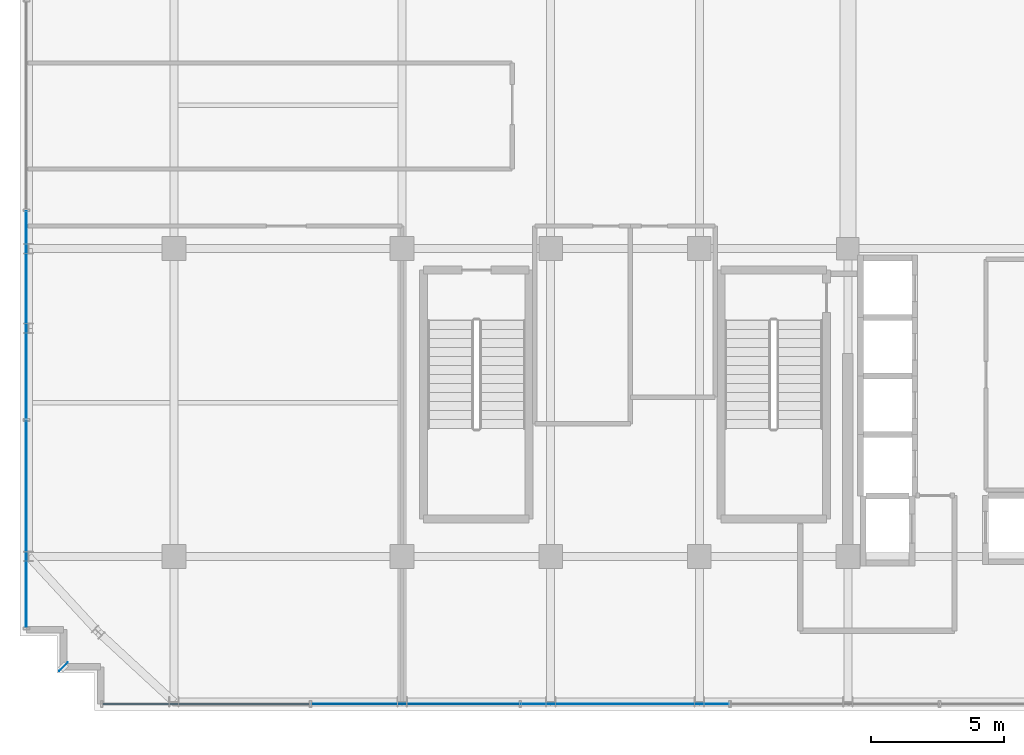
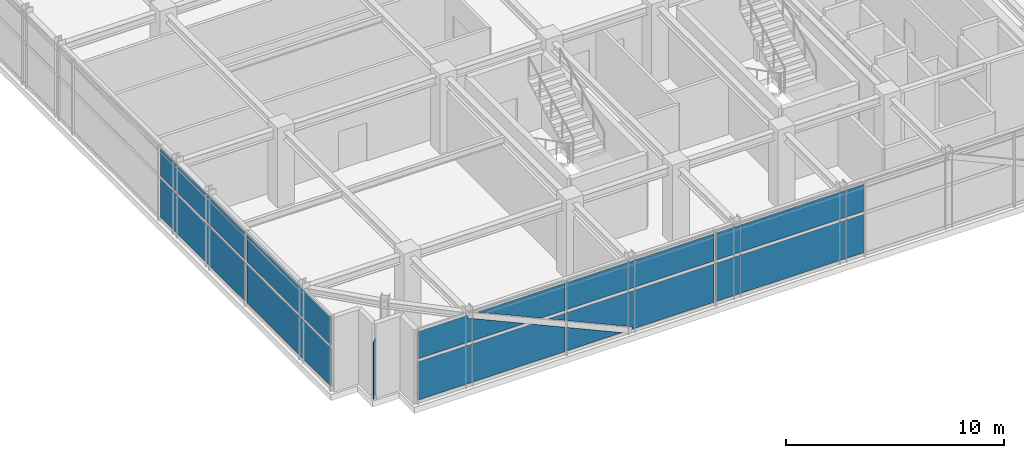
# One storey, part 16 of 26: 11 plates, 2 elements without a shape of their own.
"""IFC4 building model written with IfcOpenShell, lengths in metres."""

from ifc_helpers import new_model, si_unit, direction, frame, origin, origin_2d, place, context, subcontext, project, spatial, polyline, rectangle, outline, extrude, source, transform, mapped, material, layer, layer_set, type_object, element, aggregate, save


model = new_model("IFC4")

# Units and contexts
model_context = context("Model", 3, precision=1e-05, world=origin(), true_north=direction((0.0, 1.0)))
body_context = subcontext(model_context, "Body", "Model", "MODEL_VIEW")
ifc_project = project(units=[si_unit("LENGTHUNIT", "METRE"), si_unit("AREAUNIT", "SQUARE_METRE"), si_unit("VOLUMEUNIT", "CUBIC_METRE"), si_unit("PLANEANGLEUNIT", "RADIAN"), si_unit("MASSUNIT", "GRAM", prefix="KILO")], contexts=[model_context])

# Site, building, storey
site_placement = place(None, origin())
site = spatial("IfcSite", under=ifc_project, at=site_placement, CompositionType="ELEMENT")
building_placement = place(site_placement, origin())
building = spatial("IfcBuilding", under=site, at=building_placement, Name="Nahalor Promenade Grand Hotel", CompositionType="ELEMENT")
storey_placement = place(building_placement, frame((0.0, 0.0, 343.050048828125)))
storey = spatial("IfcBuildingStorey", under=building, at=storey_placement, Name="L88", CompositionType="ELEMENT", Elevation=343.050048828125)

# Curtain wall, plates
ifc_material_1 = material(Name="Anodised Bronze Aluminium EN AW-6063 T6", Category="aluminium")
curtain_wall_type = type_object("IfcCurtainWallType", Name="CW5 Sky-Lobby & Observation Panoramic Curtain Wall", PredefinedType="USERDEFINED", material=ifc_material_1)
curtain_wall_1_placement = place(storey_placement, origin())
curtain_wall_1 = element("IfcCurtainWall", 1, at=curtain_wall_1_placement, inside=storey, type_object=curtain_wall_type, Name="L88 Curtain Wall CW-L88-S-1", ObjectType="UNITISED_CURTAIN_WALL", PredefinedType="USERDEFINED")
ifc_material_2 = material(Name="Low-E Laminated Solar Glass", Category="glass")
ifc_layer_1 = layer(ifc_material_2, 0.035888671875)
ifc_layer_set_1 = layer_set([ifc_layer_1], Name="Low-E Laminated Solar Glass")
plate_type_1 = type_object("IfcPlateType", Name="CWP5 Observation Acoustic Triple IGU 36mm", PredefinedType="CURTAIN_PANEL", material=ifc_layer_set_1)
plate_1_placement = place(storey_placement, frame((-15.786865234375, -22.56005859375, 0.169921875), z_axis=(0.0, 0.0, 1.0), x_axis=(1.0, 0.0, 0.0)))
plate_1 = element("IfcPlate", 2, at=plate_1_placement, type_object=plate_type_1, Name="CW-L88-S-1 Glazing Panel 0-0", PredefinedType="CURTAIN_PANEL", context=body_context, shape_type="SweptSolid", body=[
    extrude(outline(polyline([(-3.88818359375, 0.0), (3.88818359375, 0.0), (3.88818359375, 1.3623046875), (2.149169921875, 2.14501953125), (-3.88818359375, 2.14501953125), (-3.88818359375, 0.0)])), frame((0.0, 0.01806640625, 0.0), z_axis=(0.0, -1.0, 0.0), x_axis=(1.0, 0.0, 0.0)), (0.0, 0.0, 1.0), 0.035888671875),
    extrude(outline(polyline([(3.88818359375, 1.746337890625), (3.88818359375, 2.14501953125), (3.002197265625, 2.14501953125), (3.88818359375, 1.746337890625)])), frame((0.0, 0.01806640625, 0.0), z_axis=(0.0, -1.0, 0.0), x_axis=(1.0, 0.0, 0.0)), (0.0, 0.0, 1.0), 0.035888671875),
])
plate_2_placement = place(storey_placement, frame((-15.786865234375, -22.56005859375, 2.48486328125), z_axis=(0.0, 0.0, 1.0), x_axis=(1.0, 0.0, 0.0)))
plate_2 = element("IfcPlate", 3, at=plate_2_placement, type_object=plate_type_1, Name="CW-L88-S-1 Glazing Panel 0-1", PredefinedType="CURTAIN_PANEL", context=body_context, shape_type="SweptSolid", body=[
    extrude(outline(polyline([(-3.88818359375, 1.514892578125), (-3.88818359375, 0.0), (1.771484375, 0.0), (-1.307861328125, 1.3857421875), (-1.249755859375, 1.514892578125), (-3.88818359375, 1.514892578125)])), frame((0.0, 0.01806640625, 0.0), z_axis=(0.0, -1.0, 0.0), x_axis=(1.0, 0.0, 0.0)), (0.0, 0.0, 1.0), 0.035888671875),
    extrude(outline(polyline([(3.88818359375, 0.0), (3.88818359375, 1.514892578125), (-0.742431640625, 1.514892578125), (2.624267578125, 0.0), (3.88818359375, 0.0)])), frame((0.0, 0.01806640625, 0.0), z_axis=(0.0, -1.0, 0.0), x_axis=(1.0, 0.0, 0.0)), (0.0, 0.0, 1.0), 0.035888671875),
])
plate_3_placement = place(storey_placement, frame((-7.904052734375, -22.56005859375, 0.169921875), z_axis=(0.0, 0.0, 1.0), x_axis=(1.0, 0.0, 0.0)))
plate_3 = element("IfcPlate", 4, at=plate_3_placement, type_object=plate_type_1, Name="CW-L88-S-1 Glazing Panel 1-0", PredefinedType="CURTAIN_PANEL", context=body_context, shape_type="SweptSolid", body=[
    extrude(outline(polyline([(3.909423828125, 2.14501953125), (-3.909423828125, 2.14501953125), (-3.909423828125, 1.7080078125), (-0.4013671875, 0.12939453125), (-0.45947265625, 0.0), (3.909423828125, 0.0), (3.909423828125, 2.14501953125)])), frame((0.0, 0.01806640625, 0.0), z_axis=(0.0, -1.0, 0.0), x_axis=(1.0, 0.0, 0.0)), (0.0, 0.0, 1.0), 0.035888671875),
    extrude(outline(polyline([(-3.909423828125, 1.32421875), (-3.909423828125, 0.0), (-0.966796875, 0.0), (-3.909423828125, 1.32421875)])), frame((0.0, 0.01806640625, 0.0), z_axis=(0.0, -1.0, 0.0), x_axis=(1.0, 0.0, 0.0)), (0.0, 0.0, 1.0), 0.035888671875),
])

# Plate
ifc_layer_2 = layer(ifc_material_1, 0.02001953125)
ifc_layer_set_2 = layer_set([ifc_layer_2], Name="Anodised Bronze Aluminium EN AW-6063 T6")
plate_type_2 = type_object("IfcPlateType", Name="Plate-CornerFin-20", PredefinedType="SHEET", material=ifc_layer_set_2)
shared_shape_1 = source(origin(), body_context, "Body", "SweptSolid", [
    extrude(rectangle(XDim=0.449951171875, YDim=0.02001953125, at=origin_2d()), origin(), (0.0, 0.0, 1.0), 3.199951171875),
])
plate_4_placement = place(storey_placement, frame((-21.159912109375, -21.159912109375, 0.0), z_axis=(0.0, 0.0, 1.0), x_axis=(0.707106781187, 0.707106781187, 0.0)))
element("IfcPlate", 5, at=plate_4_placement, inside=storey, type_object=plate_type_2, Name="FIN-L88-SW", PredefinedType="SHEET", context=body_context, shape_type="MappedRepresentation", body=[
    mapped(shared_shape_1, transform((0.0, 0.0, 0.0), scale=1.0)),
])

# Curtain wall, plates
curtain_wall_2_placement = place(storey_placement, origin())
curtain_wall_2 = element("IfcCurtainWall", 6, at=curtain_wall_2_placement, inside=storey, type_object=curtain_wall_type, Name="L88 Curtain Wall CW-L88-W-1", ObjectType="UNITISED_CURTAIN_WALL", PredefinedType="USERDEFINED")
shared_shape_2 = source(origin(), body_context, "Body", "SweptSolid", [
    extrude(rectangle(XDim=7.776611328125, YDim=0.035888671875, at=origin_2d()), origin(), (0.0, 0.0, 1.0), 2.14501953125),
])
plate_5_placement = place(storey_placement, frame((-22.56005859375, -15.786865234375, 0.169921875), z_axis=(0.0, 0.0, 1.0), x_axis=(0.0, 1.0, 0.0)))
plate_5 = element("IfcPlate", 7, at=plate_5_placement, type_object=plate_type_1, Name="CW-L88-W-1 Glazing Panel 0-0", PredefinedType="CURTAIN_PANEL", context=body_context, shape_type="MappedRepresentation", body=[
    mapped(shared_shape_2, transform((0.0, 0.0, 0.0), scale=1.0)),
])
shared_shape_3 = source(origin(), body_context, "Body", "SweptSolid", [
    extrude(rectangle(XDim=7.776611328125, YDim=0.035888671875, at=origin_2d()), origin(), (0.0, 0.0, 1.0), 1.514892578125),
])
plate_6_placement = place(storey_placement, frame((-22.56005859375, -15.786865234375, 2.48486328125), z_axis=(0.0, 0.0, 1.0), x_axis=(0.0, 1.0, 0.0)))
plate_6 = element("IfcPlate", 8, at=plate_6_placement, type_object=plate_type_1, Name="CW-L88-W-1 Glazing Panel 0-1", PredefinedType="CURTAIN_PANEL", context=body_context, shape_type="MappedRepresentation", body=[
    mapped(shared_shape_3, transform((0.0, 0.0, 0.0), scale=1.0)),
])

# Plate
shared_shape_4 = source(origin(), body_context, "Body", "SweptSolid", [
    extrude(rectangle(XDim=7.819091796875, YDim=0.035888671875, at=origin_2d()), origin(), (0.0, 0.0, 1.0), 2.14501953125),
])
plate_7_placement = place(storey_placement, frame((0.0, -22.56005859375, 0.169921875), z_axis=(0.0, 0.0, 1.0), x_axis=(1.0, 0.0, 0.0)))
plate_7 = element("IfcPlate", 9, at=plate_7_placement, type_object=plate_type_1, Name="CW-L88-S-1 Glazing Panel 2-0", PredefinedType="CURTAIN_PANEL", context=body_context, shape_type="MappedRepresentation", body=[
    mapped(shared_shape_4, transform((0.0, 0.0, 0.0), scale=1.0)),
])

plate_8_placement = place(storey_placement, frame((-22.56005859375, -7.904052734375, 0.169921875), z_axis=(0.0, 0.0, 1.0), x_axis=(0.0, 1.0, 0.0)))
plate_8 = element("IfcPlate", 10, at=plate_8_placement, type_object=plate_type_1, Name="CW-L88-W-1 Glazing Panel 1-0", PredefinedType="CURTAIN_PANEL", context=body_context, shape_type="MappedRepresentation", body=[
    mapped(shared_shape_4, transform((0.0, 0.0, 0.0), scale=1.0)),
])

shared_shape_5 = source(origin(), body_context, "Body", "SweptSolid", [
    extrude(rectangle(XDim=7.819091796875, YDim=0.035888671875, at=origin_2d()), origin(), (0.0, 0.0, 1.0), 1.514892578125),
])
plate_9_placement = place(storey_placement, frame((-7.904052734375, -22.56005859375, 2.48486328125), z_axis=(0.0, 0.0, 1.0), x_axis=(1.0, 0.0, 0.0)))
plate_9 = element("IfcPlate", 11, at=plate_9_placement, type_object=plate_type_1, Name="CW-L88-S-1 Glazing Panel 1-1", PredefinedType="CURTAIN_PANEL", context=body_context, shape_type="MappedRepresentation", body=[
    mapped(shared_shape_5, transform((0.0, 0.0, 0.0), scale=1.0)),
])

plate_10_placement = place(storey_placement, frame((0.0, -22.56005859375, 2.48486328125), z_axis=(0.0, 0.0, 1.0), x_axis=(1.0, 0.0, 0.0)))
plate_10 = element("IfcPlate", 12, at=plate_10_placement, type_object=plate_type_1, Name="CW-L88-S-1 Glazing Panel 2-1", PredefinedType="CURTAIN_PANEL", context=body_context, shape_type="MappedRepresentation", body=[
    mapped(shared_shape_5, transform((0.0, 0.0, 0.0), scale=1.0)),
])

aggregate(curtain_wall_1, [plate_1, plate_2, plate_3, plate_9, plate_7, plate_10])

plate_11_placement = place(storey_placement, frame((-22.56005859375, -7.904052734375, 2.48486328125), z_axis=(0.0, 0.0, 1.0), x_axis=(0.0, 1.0, 0.0)))
plate_11 = element("IfcPlate", 13, at=plate_11_placement, type_object=plate_type_1, Name="CW-L88-W-1 Glazing Panel 1-1", PredefinedType="CURTAIN_PANEL", context=body_context, shape_type="MappedRepresentation", body=[
    mapped(shared_shape_5, transform((0.0, 0.0, 0.0), scale=1.0)),
])

aggregate(curtain_wall_2, [plate_5, plate_6, plate_8, plate_11])

save(model, "model.ifc")
